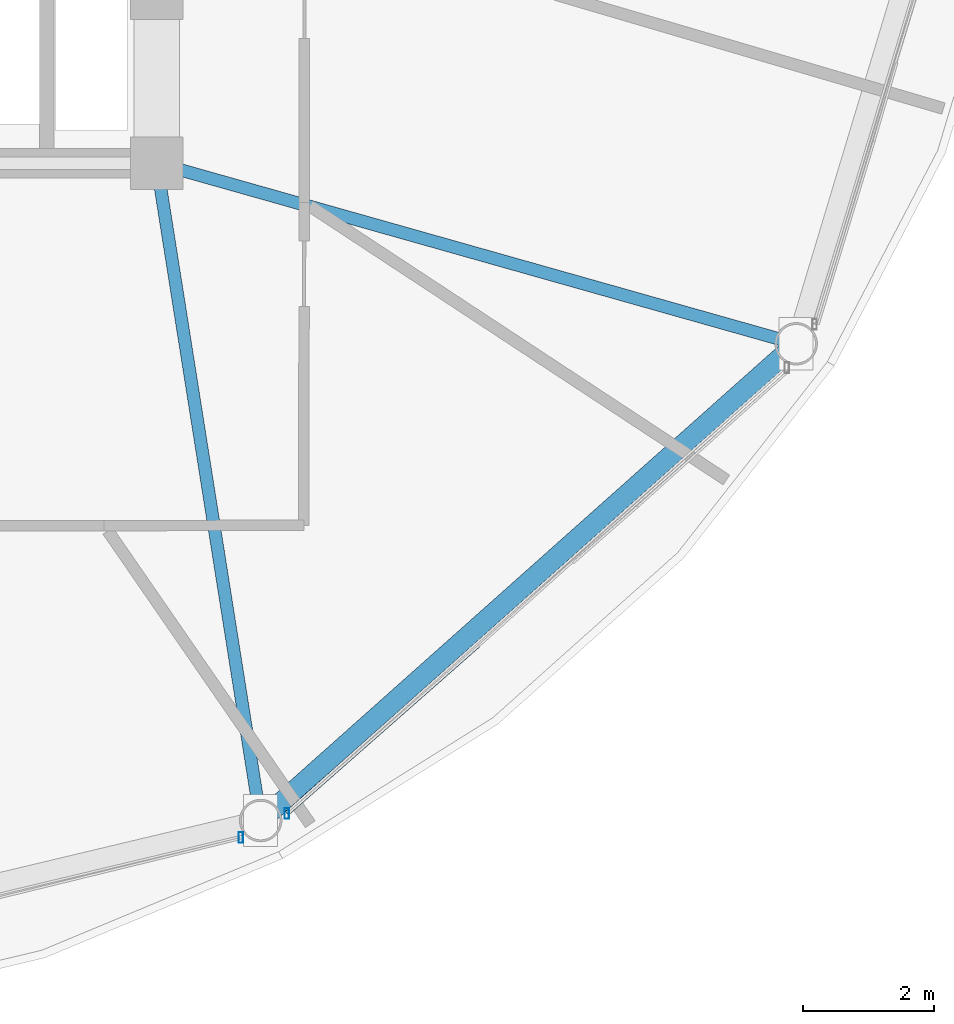
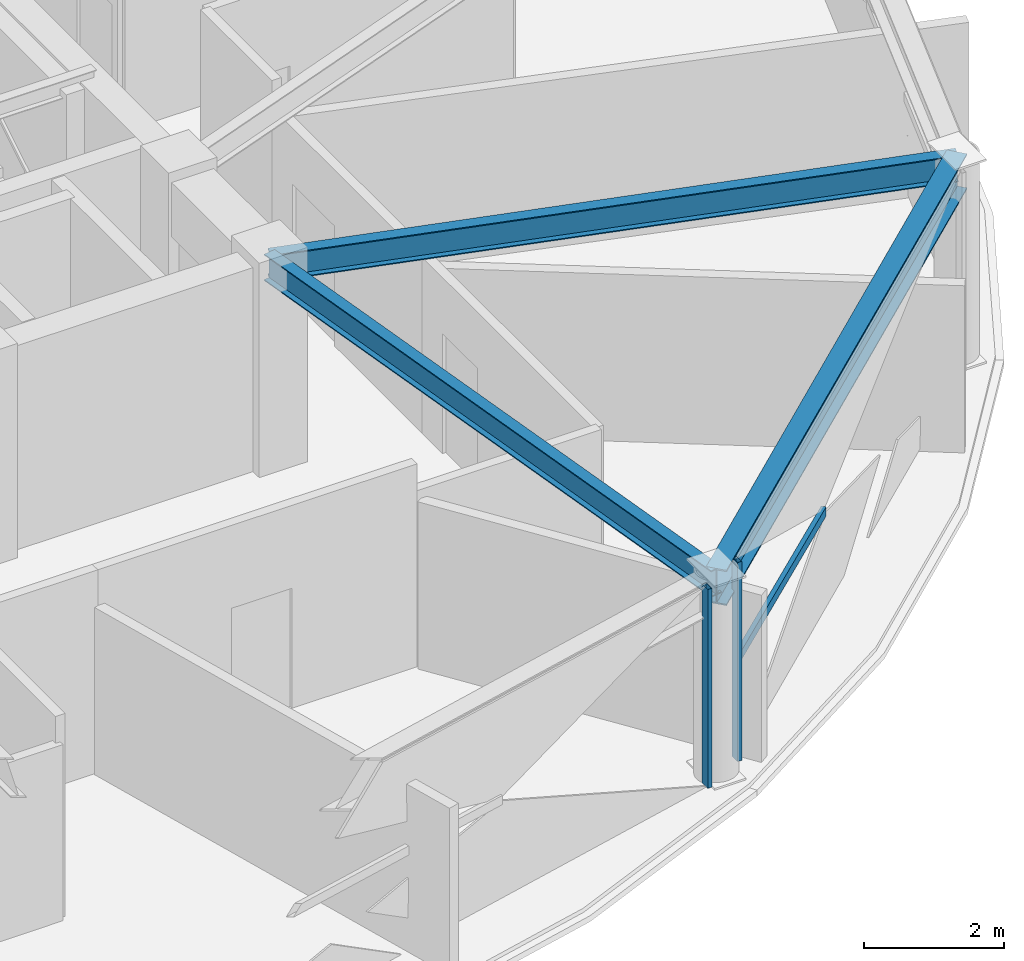
# One storey, part 11 of 30: 3 beams, 3 members, 2 elements without a shape of their own.
"""IFC4 building model written with IfcOpenShell, lengths in metres."""

from ifc_helpers import new_model, si_unit, direction, frame, origin, origin_2d, place, context, subcontext, project, spatial, hollow_rectangle, i_section, extrude, material, layer, layer_set, material_profile, profile_set, type_object, element, aggregate, save


model = new_model("IFC4")

# Units and contexts
model_context = context("Model", 3, precision=1e-05, world=origin(), true_north=direction((0.0, 1.0)))
body_context = subcontext(model_context, "Body", "Model", "MODEL_VIEW")
ifc_project = project(units=[si_unit("LENGTHUNIT", "METRE"), si_unit("AREAUNIT", "SQUARE_METRE"), si_unit("VOLUMEUNIT", "CUBIC_METRE"), si_unit("PLANEANGLEUNIT", "RADIAN"), si_unit("MASSUNIT", "GRAM", prefix="KILO")], contexts=[model_context])

# Site, building, storey
site_placement = place(None, origin())
site = spatial("IfcSite", under=ifc_project, at=site_placement, CompositionType="ELEMENT")
building_placement = place(site_placement, origin())
building = spatial("IfcBuilding", under=site, at=building_placement, Name="Vantalir Tower", CompositionType="ELEMENT")
storey_placement = place(building_placement, frame((0.0, 0.0, 201.14990234375)))
storey = spatial("IfcBuildingStorey", under=building, at=storey_placement, Name="L50", CompositionType="ELEMENT", Elevation=201.14990234375)

# Beams
ifc_material_1 = material(Name="Steel S355", Category="steel")
ifc_material_profile_1 = material_profile(ifc_material_1, i_section(OverallWidth=0.19189453125, OverallDepth=0.462890625, WebThickness=0.010498046875, FlangeThickness=0.017578125, at=origin_2d()), Name="Steel S355")
ifc_profile_set_1 = profile_set([ifc_material_profile_1], Name="Steel S355")
beam_type_1 = type_object("IfcBeamType", Name="BM-RB-457x191", PredefinedType="BEAM", material=ifc_profile_set_1)
beam_1_placement = place(storey_placement, frame((42.69091796875, 7.743896484375, 3.338134765625), z_axis=(-0.156250710225, 0.987717426977, 0.0), x_axis=(-0.987717426977, -0.156250710225, 0.0)))
element("IfcBeam", 1, at=beam_1_placement, inside=storey, type_object=beam_type_1, Name="L50 Radial Floor Beam 11", PredefinedType="BEAM", context=body_context, shape_type="SweptSolid", body=[
    extrude(i_section(OverallWidth=0.19189453125, OverallDepth=0.462890625, WebThickness=0.010498046875, FlangeThickness=0.017578125, at=origin_2d()), origin(), (0.0, 0.0, 1.0), 10.18115234375),
])
beam_2_placement = place(storey_placement, frame((50.883056640625, 15.037109375, 3.338134765625), z_axis=(-0.962355981601, 0.271792135055, 0.0), x_axis=(-0.271792135055, -0.962355981601, 0.0)))
element("IfcBeam", 2, at=beam_2_placement, inside=storey, type_object=beam_type_1, Name="L50 Radial Floor Beam 12", PredefinedType="BEAM", context=body_context, shape_type="SweptSolid", body=[
    extrude(i_section(OverallWidth=0.19189453125, OverallDepth=0.462890625, WebThickness=0.010498046875, FlangeThickness=0.017578125, at=origin_2d()), origin(), (0.0, 0.0, 1.0), 10.16552734375),
])
ifc_material_2 = material(Name="Steel S460", Category="steel")
ifc_material_profile_2 = material_profile(ifc_material_2, i_section(OverallWidth=0.306884765625, OverallDepth=0.6201171875, WebThickness=0.01416015625, FlangeThickness=0.023681640625, at=origin_2d()), Name="Steel S460")
ifc_profile_set_2 = profile_set([ifc_material_profile_2], Name="Steel S460")
beam_type_2 = type_object("IfcBeamType", Name="BM-RG-610x305", PredefinedType="USERDEFINED", material=ifc_profile_set_2)
beam_3_placement = place(storey_placement, frame((42.69091796875, 7.743896484375, 3.260009765625), z_axis=(0.746896988705, 0.664939762884, 0.0), x_axis=(-0.664939762884, 0.746896988705, 0.0)))
element("IfcBeam", 3, at=beam_3_placement, inside=storey, type_object=beam_type_2, Name="L50 Circumferential Ring Girder 11", ObjectType="GIRDER", PredefinedType="USERDEFINED", context=body_context, shape_type="SweptSolid", body=[
    extrude(i_section(OverallWidth=0.306884765625, OverallDepth=0.6201171875, WebThickness=0.01416015625, FlangeThickness=0.023681640625, at=origin_2d()), origin(), (0.0, 0.0, 1.0), 10.96826171875),
])

# Curtain wall, member
ifc_material_3 = material(Name="Champagne-silver PVDF aluminium and double-silver Low-E glass", Category="aluminium")
ifc_layer = layer(ifc_material_3, 0.2099609375)
ifc_layer_set = layer_set([ifc_layer], Name="Champagne-silver PVDF aluminium and double-silver Low-E glass")
curtain_wall_type = type_object("IfcCurtainWallType", Name="CW-DIAMOND-Z3", PredefinedType="USERDEFINED", material=ifc_layer_set)
curtain_wall_1_placement = place(storey_placement, origin())
curtain_wall_1 = element("IfcCurtainWall", 4, at=curtain_wall_1_placement, inside=storey, type_object=curtain_wall_type, Name="L50 Quilted Pyramid-Diamond Curtain Wall S10", ObjectType="UNITISED CURTAIN WALL", PredefinedType="USERDEFINED")
ifc_material_4 = material(Name="Champagne-silver PVDF aluminium 6063-T6", Category="aluminium")
ifc_material_profile_3 = material_profile(ifc_material_4, hollow_rectangle(XDim=0.070068359375, YDim=0.1650390625, WallThickness=0.00390625, at=origin_2d()), Name="Champagne-silver PVDF aluminium 6063-T6")
ifc_profile_set_3 = profile_set([ifc_material_profile_3], Name="Champagne-silver PVDF aluminium 6063-T6")
member_type_1 = type_object("IfcMemberType", Name="CWM-165x70", PredefinedType="MULLION", material=ifc_profile_set_3)
member_1_placement = place(storey_placement, frame((42.386962890625, 7.485107421875, 0.045166015625), z_axis=(0.0, 0.0, 1.0), x_axis=(1.0, 0.0, 0.0)))
member_1 = element("IfcMember", 5, at=member_1_placement, type_object=member_type_1, Name="CW-L50-S10 Mullion 2", PredefinedType="MULLION", context=body_context, shape_type="SweptSolid", body=[
    extrude(hollow_rectangle(XDim=0.070068359375, YDim=0.1650390625, WallThickness=0.00390625, at=origin_2d()), origin(), (0.0, 0.0, 1.0), 3.47998046875),
])
aggregate(curtain_wall_1, [member_1])

# Curtain wall, members
curtain_wall_2_placement = place(storey_placement, origin())
curtain_wall_2 = element("IfcCurtainWall", 6, at=curtain_wall_2_placement, inside=storey, type_object=curtain_wall_type, Name="L50 Quilted Pyramid-Diamond Curtain Wall S11", ObjectType="UNITISED CURTAIN WALL", PredefinedType="USERDEFINED")
member_2_placement = place(storey_placement, frame((43.092041015625, 7.85302734375, 0.045166015625), z_axis=(0.0, 0.0, 1.0), x_axis=(1.0, 0.0, 0.0)))
member_2 = element("IfcMember", 7, at=member_2_placement, type_object=member_type_1, Name="CW-L50-S11 Mullion 1", PredefinedType="MULLION", context=body_context, shape_type="SweptSolid", body=[
    extrude(hollow_rectangle(XDim=0.070068359375, YDim=0.1650390625, WallThickness=0.00390625, at=origin_2d()), origin(), (0.0, 0.0, 1.0), 3.47998046875),
])
ifc_material_profile_4 = material_profile(ifc_material_4, hollow_rectangle(XDim=0.074951171875, YDim=0.159912109375, WallThickness=0.00390625, at=origin_2d()), Name="Champagne-silver PVDF aluminium 6063-T6")
ifc_profile_set_4 = profile_set([ifc_material_profile_4], Name="Champagne-silver PVDF aluminium 6063-T6")
member_type_2 = type_object("IfcMemberType", Name="CWT-160x75", PredefinedType="USERDEFINED", material=ifc_profile_set_4)
member_3_placement = place(storey_placement, frame((43.092041015625, 7.85302734375, 1.78515625), z_axis=(0.750737142137, 0.660601047089, 0.0), x_axis=(-0.660601047089, 0.750737142137, 0.0)))
member_3 = element("IfcMember", 8, at=member_3_placement, type_object=member_type_2, Name="CW-L50-S11 Pyramid Fold Ridge Transom", ObjectType="TRANSOM", PredefinedType="USERDEFINED", context=body_context, shape_type="SweptSolid", body=[
    extrude(hollow_rectangle(XDim=0.074951171875, YDim=0.159912109375, WallThickness=0.00390625, at=origin_2d()), origin(), (0.0, 0.0, 1.0), 3.89501953125),
])
aggregate(curtain_wall_2, [member_2, member_3])

save(model, "model.ifc")
